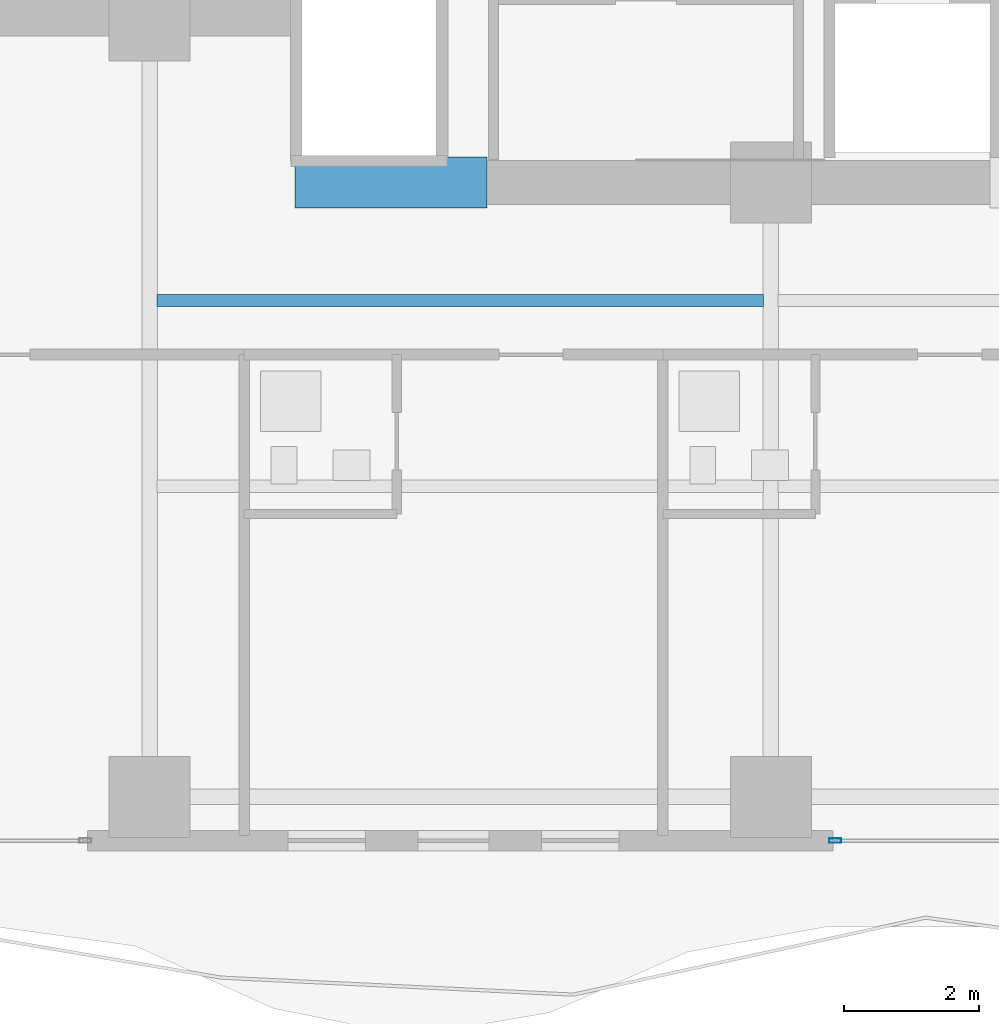
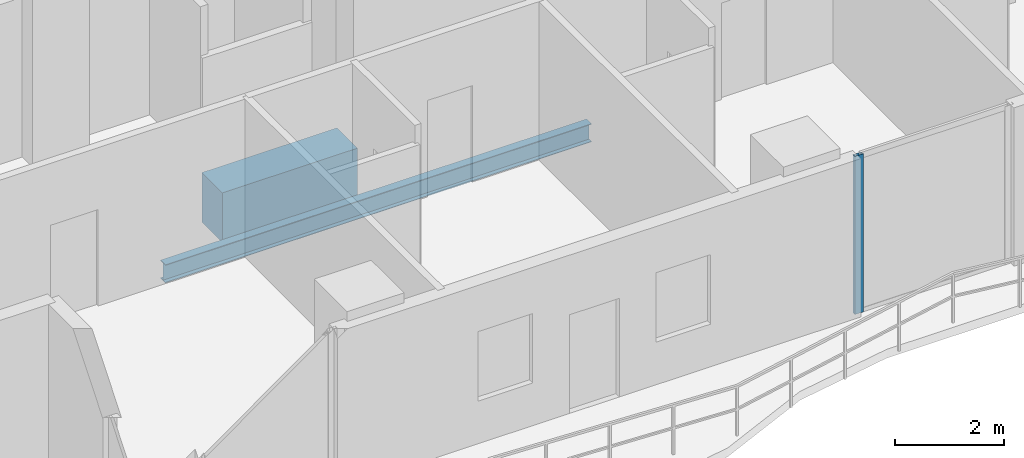
# One storey, part 5 of 32: 2 beams, 1 member, 1 element without a shape of its own.
"""IFC4 building model written with IfcOpenShell, lengths in metres."""

from ifc_helpers import new_model, si_unit, direction, frame, origin, origin_2d, place, context, subcontext, project, spatial, rectangle, hollow_rectangle, i_section, extrude, material, layer, layer_set, material_profile, profile_set, type_object, element, aggregate, save


model = new_model("IFC4")

# Units and contexts
model_context = context("Model", 3, precision=1e-05, world=origin(), true_north=direction((0.0, 1.0)))
body_context = subcontext(model_context, "Body", "Model", "MODEL_VIEW")
ifc_project = project(units=[si_unit("LENGTHUNIT", "METRE"), si_unit("AREAUNIT", "SQUARE_METRE"), si_unit("VOLUMEUNIT", "CUBIC_METRE"), si_unit("PLANEANGLEUNIT", "RADIAN"), si_unit("MASSUNIT", "GRAM", prefix="KILO")], contexts=[model_context])

# Site, building, storey
site_placement = place(None, origin())
site = spatial("IfcSite", under=ifc_project, at=site_placement, CompositionType="ELEMENT")
building_placement = place(site_placement, origin())
building = spatial("IfcBuilding", under=site, at=building_placement, Name="Zuhayl Quay Hotel", CompositionType="ELEMENT")
storey_placement = place(building_placement, frame((0.0, 0.0, 188.64990234375)))
storey = spatial("IfcBuildingStorey", under=building, at=storey_placement, Name="L47", CompositionType="ELEMENT", Elevation=188.64990234375)

# Beams
ifc_material_1 = material(Name="Concrete C60/75", Category="concrete")
ifc_material_profile_1 = material_profile(ifc_material_1, rectangle(XDim=0.75, YDim=1.10009765625, at=origin_2d()), Name="RC750X1100")
ifc_profile_set_1 = profile_set([ifc_material_profile_1], Name="Concrete C60/75")
beam_type_1 = type_object("IfcBeamType", Name="BM_CB2_RC750", PredefinedType="T_BEAM", material=ifc_profile_set_1)
beam_1_placement = place(storey_placement, frame((-11.64990234375, 2.14990234375, -0.77001953125), z_axis=(1.0, 0.0, 0.0), x_axis=(0.0, 1.0, 0.0)))
element("IfcBeam", 1, at=beam_1_placement, inside=storey, type_object=beam_type_1, Name="L47 Core Coupling Beam SW", PredefinedType="T_BEAM", context=body_context, shape_type="SweptSolid", body=[
    extrude(rectangle(XDim=0.75, YDim=1.10009765625, at=origin_2d()), origin(), (0.0, 0.0, 1.0), 2.849853515625),
])
ifc_material_2 = material(Name="Steel ASTM A992 Grade 50", Category="steel")
ifc_material_profile_2 = material_profile(ifc_material_2, i_section(OverallWidth=0.177978515625, OverallDepth=0.406005859375, WebThickness=0.0078125, FlangeThickness=0.0126953125, at=origin_2d()), Name="W16X40")
ifc_profile_set_2 = profile_set([ifc_material_profile_2], Name="Steel ASTM A992 Grade 50")
beam_type_2 = type_object("IfcBeamType", Name="BM_J2B_W16X40", PredefinedType="JOIST", material=ifc_profile_set_2)
beam_2_placement = place(storey_placement, frame((-13.694091796875, 0.39990234375, -0.4228515625), z_axis=(1.0, 0.0, 0.0), x_axis=(0.0, 1.0, 0.0)))
element("IfcBeam", 2, at=beam_2_placement, inside=storey, type_object=beam_type_2, Name="L47 Floor Beam FJ_L47_8_1", PredefinedType="JOIST", context=body_context, shape_type="SweptSolid", body=[
    extrude(i_section(OverallWidth=0.177978515625, OverallDepth=0.406005859375, WebThickness=0.0078125, FlangeThickness=0.0126953125, at=origin_2d()), origin(), (0.0, 0.0, 1.0), 8.988037109375),
])

# Curtain wall, member
ifc_material_3 = material(Name="Anodised Aluminium 6063-T6", Category="aluminium")
ifc_layer = layer(ifc_material_3, 0.175048828125, Name="Anodised Aluminium 6063-T6", Category="aluminium")
ifc_layer_set = layer_set([ifc_layer], Name="Anodised Aluminium 6063-T6")
curtain_wall_type = type_object("IfcCurtainWallType", Name="CW_SYS_Z3", PredefinedType="USERDEFINED", material=ifc_layer_set)
curtain_wall_placement = place(storey_placement, origin())
curtain_wall = element("IfcCurtainWall", 3, at=curtain_wall_placement, inside=storey, type_object=curtain_wall_type, Name="L47 Curtain Wall ENV_L47_S_CW4", ObjectType="UNITISED CURTAIN WALL", PredefinedType="USERDEFINED")
ifc_material_4 = material(Name="Black-anodised aluminium 6063-T6", Category="aluminium")
ifc_material_profile_3 = material_profile(ifc_material_4, hollow_rectangle(XDim=0.06494140625, YDim=0.179931640625, WallThickness=0.00341796875, at=origin_2d()), Name="ALU180X65")
ifc_profile_set_3 = profile_set([ifc_material_profile_3], Name="Black-anodised aluminium 6063-T6")
member_type = type_object("IfcMemberType", Name="MB_CW_MUL_180", PredefinedType="MULLION", material=ifc_profile_set_3)
member_placement = place(storey_placement, frame((-3.6474609375, -7.60009765625, 0.0), z_axis=(0.0, 0.0, 1.0), x_axis=(0.0, -1.0, 0.0)))
member = element("IfcMember", 4, at=member_placement, type_object=member_type, Name="CW-Z3 mullion 2", PredefinedType="MULLION", context=body_context, shape_type="SweptSolid", body=[
    extrude(hollow_rectangle(XDim=0.06494140625, YDim=0.179931640625, WallThickness=0.00341796875, at=origin_2d()), origin(), (0.0, 0.0, 1.0), 3.530029296875),
])
aggregate(curtain_wall, [member])

save(model, "model.ifc")
